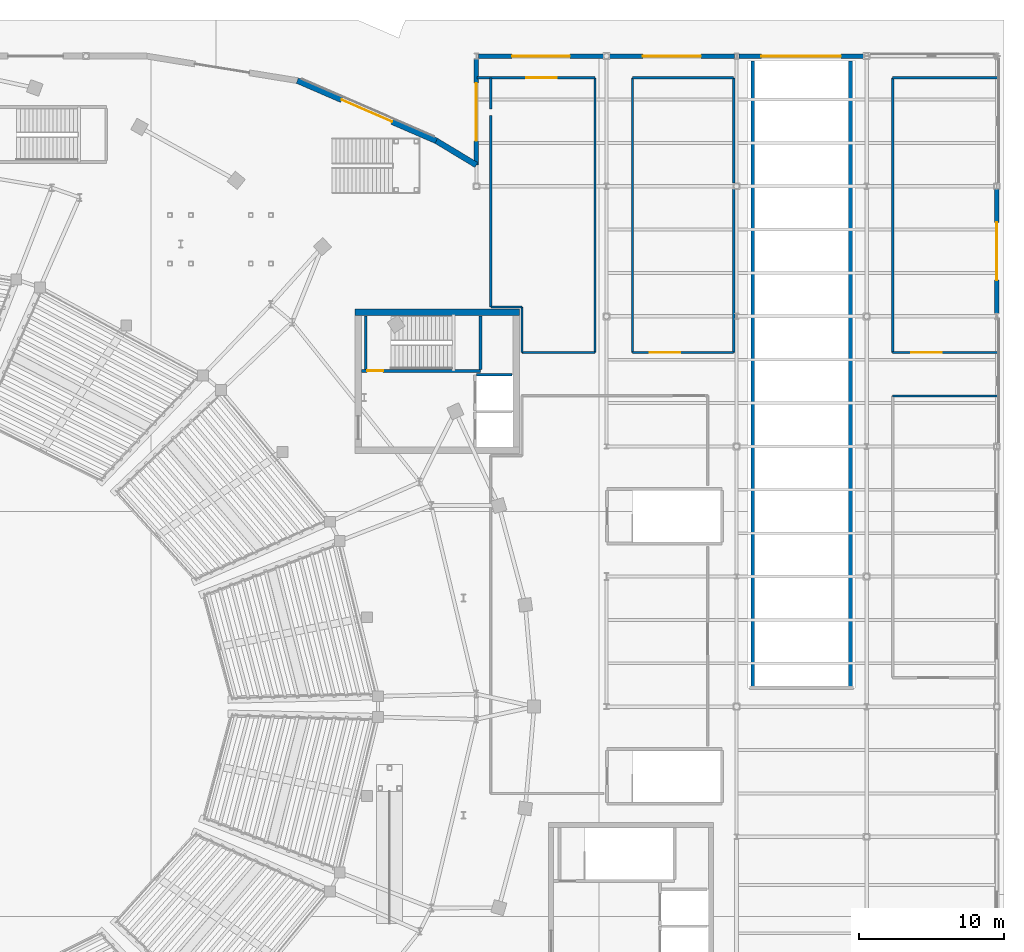
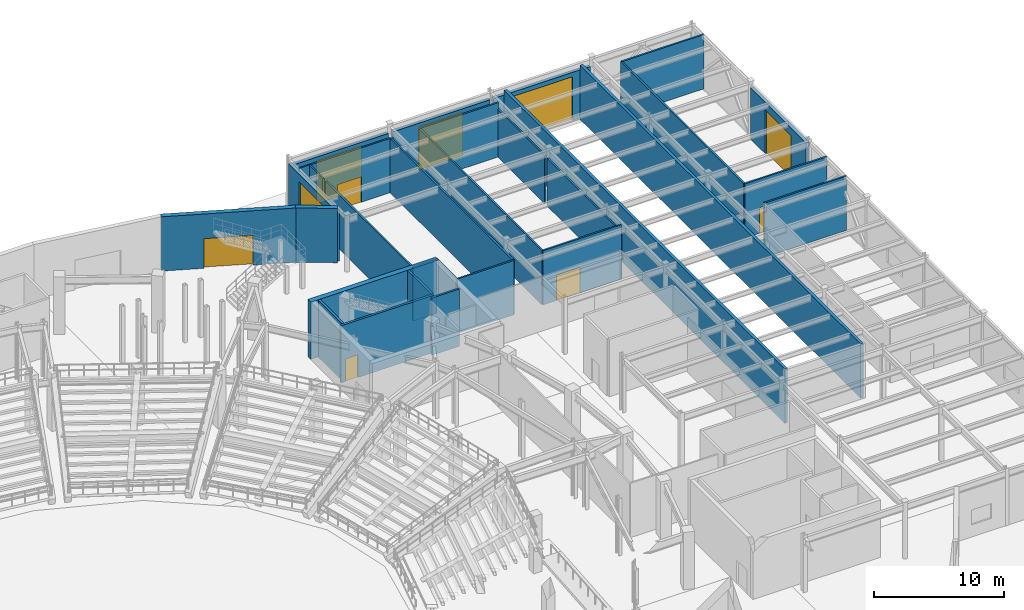
# One storey, part 56 of 79: 30 walls, 10 doors, 10 openings.
"""IFC4 building model written with IfcOpenShell, lengths in metres."""

import ifcopenshell
import ifcopenshell.guid

model = None  # the IFC model being written
_history = None  # IfcOwnerHistory: only IFC2X3 demands one
_inside = {}  # id of a spatial element -> (the spatial element, [elements in it])
_under = {}  # id of a project, library or spatial element -> (it, [spatial elements below it])
_declared = {}  # id of a project -> (the project, [libraries it declares])
_typed = {}  # id of a type object -> (the type object, [elements of that type])
_made_of = {}  # id of a material, layer set ... -> (it, [elements and type objects made of it])


def new_model(schema):
    """Start an empty IFC model of exactly this schema.

    Asked for "IFC4X3", IfcOpenShell would pick the latest addendum, in which some entities
    have other attributes; the version numbers below select the first issue.
    IFC2X3 requires an IfcOwnerHistory on every rooted entity: one is made here for all.
    """
    global model, _history
    if schema == "IFC4X3":
        model = ifcopenshell.file(schema_version=(4, 3, 0, 0))
    else:
        model = ifcopenshell.file(schema=schema)
    _inside.clear()
    _under.clear()
    _declared.clear()
    _typed.clear()
    _made_of.clear()
    _history = None
    if model.schema == "IFC2X3":
        org = make("IfcOrganization", Name="unknown")
        user = make(
            "IfcPersonAndOrganization",
            ThePerson=make("IfcPerson", FamilyName="unknown"),
            TheOrganization=org,
        )
        app = make(
            "IfcApplication",
            ApplicationDeveloper=org,
            Version="unknown",
            ApplicationFullName="unknown",
            ApplicationIdentifier="unknown",
        )
        _history = make(
            "IfcOwnerHistory",
            OwningUser=user,
            OwningApplication=app,
            ChangeAction="ADDED",
            CreationDate=0,
        )
    return model


def make(cls, **values):
    """One entity of the class cls with the attributes given. An attribute that is None is left unset."""
    return model.create_entity(
        cls, **{name: value for name, value in values.items() if value is not None}
    )


def rooted(cls, **values):
    """An entity with a GlobalId (a new one), such as an element, a storey or a relation."""
    return make(cls, GlobalId=ifcopenshell.guid.new(), OwnerHistory=_history, **values)


def si_unit(unit_type, name, prefix=None):
    """IfcSIUnit, for example si_unit("LENGTHUNIT", "METRE", prefix="MILLI")."""
    return make("IfcSIUnit", UnitType=unit_type, Prefix=prefix, Name=name)


def assignment(units):
    """IfcUnitAssignment: the units of a project."""
    return None if units is None else make("IfcUnitAssignment", Units=units)


def point(xyz):
    """IfcCartesianPoint."""
    return None if xyz is None else make("IfcCartesianPoint", Coordinates=xyz)


def direction(xyz):
    """IfcDirection."""
    return None if xyz is None else make("IfcDirection", DirectionRatios=xyz)


def frame(location, z_axis=None, x_axis=None):
    """IfcAxis2Placement3D, a coordinate frame: its origin and axes. An axis left out is left unset."""
    return make(
        "IfcAxis2Placement3D",
        Location=point(location),
        Axis=direction(z_axis),
        RefDirection=direction(x_axis),
    )


def frame_2d(location, x_axis=None):
    """IfcAxis2Placement2D, a coordinate frame in the plane: its origin and x axis."""
    return make(
        "IfcAxis2Placement2D", Location=point(location), RefDirection=direction(x_axis)
    )


def origin():
    """The frame at (0, 0, 0) with its axes left unset."""
    return frame((0.0, 0.0, 0.0))


def place(relative_to, where):
    """IfcLocalPlacement: puts the frame where relative to a parent placement (None: the world)."""
    return make(
        "IfcLocalPlacement", PlacementRelTo=relative_to, RelativePlacement=where
    )


def context(
    kind, dimensions, precision=None, world=None, true_north=None, identifier=None
):
    """IfcGeometricRepresentationContext, for example the 3D "Model" context."""
    return make(
        "IfcGeometricRepresentationContext",
        ContextIdentifier=identifier,
        ContextType=kind,
        CoordinateSpaceDimension=dimensions,
        Precision=precision,
        WorldCoordinateSystem=world,
        TrueNorth=true_north,
    )


def subcontext(parent, identifier, kind, view, scale=None):
    """IfcGeometricRepresentationSubContext, for example "Body" below "Model"."""
    return make(
        "IfcGeometricRepresentationSubContext",
        ContextIdentifier=identifier,
        ContextType=kind,
        ParentContext=parent,
        TargetScale=scale,
        TargetView=view,
    )


def project(units=None, contexts=None):
    """IfcProject with its units and contexts."""
    return rooted(
        "IfcProject",
        Name="project",
        RepresentationContexts=contexts,
        UnitsInContext=assignment(units),
    )


def spatial(cls, under=None, at=None, **own):
    """A site, building, storey or space (cls), placed at a placement, below another one or the project."""
    s = rooted(cls, ObjectPlacement=at, **own)
    if under is not None:
        _under.setdefault(under.id(), (under, []))[1].append(s)
    return s


def profile(cls, at=None, kind="AREA", **sizes):
    """A parametric profile (cls). Its sizes go by their IFC names, for example OverallWidth=200.0."""
    return make(cls, ProfileType=kind, Position=at, **sizes)


def rectangle(**sizes):
    """IfcRectangleProfileDef."""
    return profile("IfcRectangleProfileDef", **sizes)


def extrude(swept, where, along, depth):
    """IfcExtrudedAreaSolid: the profile swept, set in the frame where, extruded along a direction by depth."""
    return make(
        "IfcExtrudedAreaSolid",
        SweptArea=swept,
        Position=where,
        ExtrudedDirection=direction(along),
        Depth=depth,
    )


def shape(context_of_items, identifier, shape_type, items):
    """IfcShapeRepresentation: the items that make up one representation, for example the "Body"."""
    return make(
        "IfcShapeRepresentation",
        ContextOfItems=context_of_items,
        RepresentationIdentifier=identifier,
        RepresentationType=shape_type,
        Items=items,
    )


def material(Name=None, Category=None):
    """IfcMaterial."""
    return make("IfcMaterial", Name=Name, Category=Category)


def layer(
    of_material, thickness, ventilated=None, Name=None, Category=None, Priority=None
):
    """IfcMaterialLayer: one layer of a wall or slab, of a material (None: an air gap)."""
    return make(
        "IfcMaterialLayer",
        Material=of_material,
        LayerThickness=thickness,
        IsVentilated=ventilated,
        Name=Name,
        Category=Category,
        Priority=Priority,
    )


def layer_set(layers, Name=None):
    """IfcMaterialLayerSet."""
    return make("IfcMaterialLayerSet", MaterialLayers=layers, LayerSetName=Name)


def made_of(thing, what):
    """Note that an element or type object is made of a material, layer set ...; save() writes the relation."""
    if what is not None:
        _made_of.setdefault(what.id(), (what, []))[1].append(thing)
    return thing


def type_object(cls, material=None, **own):
    """A type object (cls), such as IfcWallType, which elements share."""
    return made_of(rooted(cls, **own), material)


def element(
    cls,
    number,
    at=None,
    inside=None,
    cuts=None,
    type_object=None,
    material=None,
    context=None,
    identifier="Body",
    shape_type=None,
    held_by="IfcProductDefinitionShape",
    body=None,
    shapes=None,
    **own,
):
    """One element of the class cls, such as IfcWall. Its Tag is "e" and its number.

    at: its placement. inside: the storey or other place that contains it. cuts: it is an
    opening in that element (IfcRelVoidsElement). A single representation is given by context,
    identifier, shape_type and body (its items); several are given by shapes. held_by: the class
    of the entity that holds the representations. save() writes the other relations.
    """
    e = rooted(cls, Tag="e%d" % number, ObjectPlacement=at, **own)
    if body is not None:
        shapes = [shape(context, identifier, shape_type, body)]
    if shapes is not None:
        e.Representation = make(held_by, Representations=shapes)
    if inside is not None:
        _inside.setdefault(inside.id(), (inside, []))[1].append(e)
    if cuts is not None:
        rooted(
            "IfcRelVoidsElement", RelatingBuildingElement=cuts, RelatedOpeningElement=e
        )
    if type_object is not None:
        _typed.setdefault(type_object.id(), (type_object, []))[1].append(e)
    return made_of(e, material)


def fill(opening, filler):
    """IfcRelFillsElement: the door or window that sits in an opening."""
    return rooted(
        "IfcRelFillsElement",
        RelatingOpeningElement=opening,
        RelatedBuildingElement=filler,
    )


def aggregate(whole, parts):
    """IfcRelAggregates: a whole, such as a stair, and the parts it consists of."""
    return rooted("IfcRelAggregates", RelatingObject=whole, RelatedObjects=parts)


def save(model, path):
    """Write the relations noted so far, then the file.

    IfcRelAggregates (storeys below a building ...), IfcRelContainedInSpatialStructure (elements
    in a storey), IfcRelDefinesByType, IfcRelAssociatesMaterial and IfcRelDeclares: one each for
    every whole, place, type object, material and project.
    """
    for whole, parts in _under.values():
        aggregate(whole, parts)
    for where, things in _inside.values():
        rooted(
            "IfcRelContainedInSpatialStructure",
            RelatedElements=things,
            RelatingStructure=where,
        )
    for kind, things in _typed.values():
        rooted("IfcRelDefinesByType", RelatedObjects=things, RelatingType=kind)
    for what, things in _made_of.values():
        rooted("IfcRelAssociatesMaterial", RelatedObjects=things, RelatingMaterial=what)
    for by, libraries in _declared.values():
        rooted("IfcRelDeclares", RelatingContext=by, RelatedDefinitions=libraries)
    model.write(path)


model = new_model("IFC4")

# Units and contexts
model_context = context("Model", 3, precision=1e-05, world=origin(), true_north=direction((0.0, 1.0)))
body_context = subcontext(model_context, "Body", "Model", "MODEL_VIEW")
ifc_project = project(units=[si_unit("LENGTHUNIT", "METRE"), si_unit("AREAUNIT", "SQUARE_METRE"), si_unit("VOLUMEUNIT", "CUBIC_METRE"), si_unit("PLANEANGLEUNIT", "RADIAN"), si_unit("MASSUNIT", "GRAM", prefix="KILO")], contexts=[model_context])

# Site, building, storey
site_placement = place(None, origin())
site = spatial("IfcSite", under=ifc_project, at=site_placement, CompositionType="ELEMENT")
building_placement = place(site_placement, origin())
building = spatial("IfcBuilding", under=site, at=building_placement, Name="Glasvene Arena", CompositionType="ELEMENT")
storey_placement = place(building_placement, origin())
storey = spatial("IfcBuildingStorey", under=building, at=storey_placement, Name="L00", CompositionType="ELEMENT", Elevation=0.0)

# Wall
ifc_material_1 = material(Name="Concrete C40/50", Category="concrete")
ifc_layer_1 = layer(ifc_material_1, 0.449951171875)
ifc_layer_set_1 = layer_set([ifc_layer_1], Name="Concrete C40/50")
wall_type_1 = type_object("IfcWallType", Name="WL-CORE-450", PredefinedType="SHEAR", material=ifc_layer_set_1)
wall_1_placement = place(storey_placement, frame((129.60009765625, 100.27490234375, 0.0), z_axis=(0.0, 0.0, 1.0), x_axis=(1.0, 0.0, 0.0)))
element("IfcWall", 1, at=wall_1_placement, inside=storey, type_object=wall_type_1, Name="Core C2 North-East shear wall N L00", PredefinedType="SHEAR", context=body_context, shape_type="SweptSolid", body=[
    extrude(rectangle(XDim=11.39990234375, YDim=0.449951171875, at=frame_2d((5.699951171875, 0.0))), origin(), (0.0, 0.0, 1.0), 5.39990234375),
])

# Wall, opening, door
ifc_material_2 = material(Name="Coursed pale Irish limestone", Category="masonry")
ifc_layer_2 = layer(ifc_material_2, 0.39990234375)
ifc_layer_set_2 = layer_set([ifc_layer_2], Name="Coursed pale Irish limestone")
wall_type_2 = type_object("IfcWallType", Name="WL-EXT-LIM-400", PredefinedType="STANDARD", material=ifc_layer_set_2)
wall_2_placement = place(storey_placement, frame((125.619140625, 116.3076171875, 0.0), z_axis=(0.0, 0.0, 1.0), x_axis=(0.917436013805, -0.397883350461, 0.0)))
wall_2 = element("IfcWall", 2, at=wall_2_placement, inside=storey, type_object=wall_type_2, Name="External facade wall EW-L00-0023", PredefinedType="STANDARD", context=body_context, shape_type="SweptSolid", body=[
    extrude(rectangle(XDim=10.478515625, YDim=0.39990234375, at=frame_2d((5.2392578125, 0.0))), origin(), (0.0, 0.0, 1.0), 5.1201171875),
])
opening_1_placement = place(wall_2_placement, frame((3.339111328125, 0.0, 0.0)))
opening_1 = element("IfcOpeningElement", 3, at=opening_1_placement, cuts=wall_2, Name="Opening E-MAIN", PredefinedType="OPENING", context=body_context, shape_type="SweptSolid", body=[
    extrude(rectangle(XDim=3.800048828125, YDim=2.800048828125, at=frame_2d((1.89990234375, 1.39990234375))), frame((0.0, 0.2099609375, 0.0), z_axis=(0.0, -1.0, 0.0), x_axis=(1.0, 0.0, 0.0)), (0.0, 0.0, 1.0), 0.419921875),
])
ifc_material_3 = material(Name="Anodised architectural aluminium", Category="aluminium")
door_type_1 = type_object("IfcDoorType", Name="DR-ENT-3800", OperationType="DOUBLE_DOOR_SINGLE_SWING", PredefinedType="DOOR", material=ifc_material_3)
door_1_placement = place(opening_1_placement, origin())
door_1 = element("IfcDoor", 4, at=door_1_placement, inside=storey, type_object=door_type_1, Name="Main entrance E12", OperationType="DOUBLE_DOOR_SINGLE_SWING", OverallHeight=2.800048828125, OverallWidth=3.800048828125, PredefinedType="DOOR", context=body_context, shape_type="SweptSolid", body=[
    extrude(rectangle(XDim=3.800048828125, YDim=2.800048828125, at=frame_2d((1.89990234375, 1.39990234375))), frame((0.0, 0.02490234375, 0.0), z_axis=(0.0, -1.0, 0.0), x_axis=(1.0, 0.0, 0.0)), (0.0, 0.0, 1.0), 0.050048828125),
])
fill(opening_1, door_1)

# Wall
wall_3_placement = place(storey_placement, frame((135.232421875, 112.138427734375, 0.0), z_axis=(0.0, 0.0, 1.0), x_axis=(0.855809711202, -0.517290767569, 0.0)))
element("IfcWall", 5, at=wall_3_placement, inside=storey, type_object=wall_type_2, Name="External facade wall EW-L00-0024", PredefinedType="STANDARD", context=body_context, shape_type="SweptSolid", body=[
    extrude(rectangle(XDim=3.23388671875, YDim=0.39990234375, at=frame_2d((1.616943359375, 0.0))), origin(), (0.0, 0.0, 1.0), 5.1201171875),
])

# Wall, opening, door
ifc_material_4 = material(Name="Precast concrete C50/60", Category="concrete")
ifc_layer_3 = layer(ifc_material_4, 0.320068359375)
ifc_layer_set_3 = layer_set([ifc_layer_3], Name="Precast concrete C50/60")
wall_type_3 = type_object("IfcWallType", Name="WL-EXT-PRC-320", PredefinedType="STANDARD", material=ifc_layer_set_3)
wall_4_placement = place(storey_placement, frame((138.0, 110.465576171875, 0.0), z_axis=(0.0, 0.0, 1.0), x_axis=(0.0, 1.0, 0.0)))
wall_4 = element("IfcWall", 6, at=wall_4_placement, inside=storey, type_object=wall_type_3, Name="External facade wall EW-L00-0025", PredefinedType="STANDARD", context=body_context, shape_type="SweptSolid", body=[
    extrude(rectangle(XDim=7.33251953125, YDim=0.320068359375, at=frame_2d((3.666259765625, 0.0))), origin(), (0.0, 0.0, 1.0), 4.81494140625),
])
opening_2_placement = place(wall_4_placement, frame((1.666015625, 0.0, 0.0)))
opening_2 = element("IfcOpeningElement", 7, at=opening_2_placement, cuts=wall_4, Name="Opening DS-400", PredefinedType="OPENING", context=body_context, shape_type="SweptSolid", body=[
    extrude(rectangle(XDim=4.0, YDim=4.10009765625, at=frame_2d((2.0, 2.050048828125))), frame((0.0, 0.169921875, 0.0), z_axis=(0.0, -1.0, 0.0), x_axis=(1.0, 0.0, 0.0)), (0.0, 0.0, 1.0), 0.340087890625),
])
ifc_material_5 = material(Name="Galvanised acoustic steel shutter", Category="steel")
door_type_2 = type_object("IfcDoorType", Name="DR-DOCK-SHUT-4000", OperationType="ROLLINGUP", PredefinedType="GATE", material=ifc_material_5)
door_2_placement = place(opening_2_placement, origin())
door_2 = element("IfcDoor", 8, at=door_2_placement, inside=storey, type_object=door_type_2, Name="HGV loading bay roller shutter DG-D01", OperationType="ROLLINGUP", OverallHeight=4.10009765625, OverallWidth=4.0, PredefinedType="GATE", context=body_context, shape_type="SweptSolid", body=[
    extrude(rectangle(XDim=4.0, YDim=4.10009765625, at=frame_2d((2.0, 2.050048828125))), frame((0.0, 0.02490234375, 0.0), z_axis=(0.0, -1.0, 0.0), x_axis=(1.0, 0.0, 0.0)), (0.0, 0.0, 1.0), 0.050048828125),
])
fill(opening_2, door_2)

wall_5_placement = place(storey_placement, frame((138.152099609375, 118.0, 0.0), z_axis=(0.0, 0.0, 1.0), x_axis=(1.0, 0.0, 0.0)))
wall_5 = element("IfcWall", 9, at=wall_5_placement, inside=storey, type_object=wall_type_3, Name="External facade wall EW-L00-0026", PredefinedType="STANDARD", context=body_context, shape_type="SweptSolid", body=[
    extrude(rectangle(XDim=8.642822265625, YDim=0.320068359375, at=frame_2d((4.3212890625, 0.0))), origin(), (0.0, 0.0, 1.0), 4.50732421875),
])
opening_3_placement = place(wall_5_placement, frame((2.321044921875, 0.0, 0.0)))
opening_3 = element("IfcOpeningElement", 10, at=opening_3_placement, cuts=wall_5, Name="Opening DS-400", PredefinedType="OPENING", context=body_context, shape_type="SweptSolid", body=[
    extrude(rectangle(XDim=4.0, YDim=4.10009765625, at=frame_2d((2.0, 2.050048828125))), frame((0.0, 0.169921875, 0.0), z_axis=(0.0, -1.0, 0.0), x_axis=(1.0, 0.0, 0.0)), (0.0, 0.0, 1.0), 0.340087890625),
])
door_3_placement = place(opening_3_placement, origin())
door_3 = element("IfcDoor", 11, at=door_3_placement, inside=storey, type_object=door_type_2, Name="HGV loading bay roller shutter DG-D02", OperationType="ROLLINGUP", OverallHeight=4.10009765625, OverallWidth=4.0, PredefinedType="GATE", context=body_context, shape_type="SweptSolid", body=[
    extrude(rectangle(XDim=4.0, YDim=4.10009765625, at=frame_2d((2.0, 2.050048828125))), frame((0.0, 0.02490234375, 0.0), z_axis=(0.0, -1.0, 0.0), x_axis=(1.0, 0.0, 0.0)), (0.0, 0.0, 1.0), 0.050048828125),
])
fill(opening_3, door_3)

wall_6_placement = place(storey_placement, frame((147.205078125, 118.0, 0.0), z_axis=(0.0, 0.0, 1.0), x_axis=(1.0, 0.0, 0.0)))
wall_6 = element("IfcWall", 12, at=wall_6_placement, inside=storey, type_object=wall_type_3, Name="External facade wall EW-L00-0027", PredefinedType="STANDARD", context=body_context, shape_type="SweptSolid", body=[
    extrude(rectangle(XDim=8.642822265625, YDim=0.320068359375, at=frame_2d((4.3212890625, 0.0))), origin(), (0.0, 0.0, 1.0), 4.50732421875),
])
opening_4_placement = place(wall_6_placement, frame((2.321044921875, 0.0, 0.0)))
opening_4 = element("IfcOpeningElement", 13, at=opening_4_placement, cuts=wall_6, Name="Opening DS-400", PredefinedType="OPENING", context=body_context, shape_type="SweptSolid", body=[
    extrude(rectangle(XDim=4.0, YDim=4.10009765625, at=frame_2d((2.0, 2.050048828125))), frame((0.0, 0.169921875, 0.0), z_axis=(0.0, -1.0, 0.0), x_axis=(1.0, 0.0, 0.0)), (0.0, 0.0, 1.0), 0.340087890625),
])
door_4_placement = place(opening_4_placement, origin())
door_4 = element("IfcDoor", 14, at=door_4_placement, inside=storey, type_object=door_type_2, Name="HGV loading bay roller shutter DG-D03", OperationType="ROLLINGUP", OverallHeight=4.10009765625, OverallWidth=4.0, PredefinedType="GATE", context=body_context, shape_type="SweptSolid", body=[
    extrude(rectangle(XDim=4.0, YDim=4.10009765625, at=frame_2d((2.0, 2.050048828125))), frame((0.0, 0.02490234375, 0.0), z_axis=(0.0, -1.0, 0.0), x_axis=(1.0, 0.0, 0.0)), (0.0, 0.0, 1.0), 0.050048828125),
])
fill(opening_4, door_4)

wall_7_placement = place(storey_placement, frame((156.152099609375, 118.0, 0.0), z_axis=(0.0, 0.0, 1.0), x_axis=(1.0, 0.0, 0.0)))
wall_7 = element("IfcWall", 15, at=wall_7_placement, inside=storey, type_object=wall_type_3, Name="External facade wall EW-L00-0028", PredefinedType="STANDARD", context=body_context, shape_type="SweptSolid", body=[
    extrude(rectangle(XDim=8.642822265625, YDim=0.320068359375, at=frame_2d((4.3212890625, 0.0))), origin(), (0.0, 0.0, 1.0), 4.50732421875),
])
opening_5_placement = place(wall_7_placement, frame((1.571044921875, 0.0, 0.0)))
opening_5 = element("IfcOpeningElement", 16, at=opening_5_placement, cuts=wall_7, Name="Opening VS-550", PredefinedType="OPENING", context=body_context, shape_type="SweptSolid", body=[
    extrude(rectangle(XDim=5.5, YDim=4.10009765625, at=frame_2d((2.75, 2.050048828125))), frame((0.0, 0.169921875, 0.0), z_axis=(0.0, -1.0, 0.0), x_axis=(1.0, 0.0, 0.0)), (0.0, 0.0, 1.0), 0.340087890625),
])
door_type_3 = type_object("IfcDoorType", Name="DR-RAMP-SHUT-5500", OperationType="ROLLINGUP", PredefinedType="GATE", material=ifc_material_5)
door_5_placement = place(opening_5_placement, origin())
door_5 = element("IfcDoor", 17, at=door_5_placement, inside=storey, type_object=door_type_3, Name="Vehicle ramp exterior roller shutter gate DG-V01", OperationType="ROLLINGUP", OverallHeight=4.10009765625, OverallWidth=5.5, PredefinedType="GATE", context=body_context, shape_type="SweptSolid", body=[
    extrude(rectangle(XDim=5.5, YDim=4.10009765625, at=frame_2d((2.75, 2.050048828125))), frame((0.0, 0.02490234375, 0.0), z_axis=(0.0, -1.0, 0.0), x_axis=(1.0, 0.0, 0.0)), (0.0, 0.0, 1.0), 0.050048828125),
])
fill(opening_5, door_5)

wall_8_placement = place(storey_placement, frame((174.0, 108.794921875, 0.0), z_axis=(0.0, 0.0, 1.0), x_axis=(0.0, -1.0, 0.0)))
wall_8 = element("IfcWall", 18, at=wall_8_placement, inside=storey, type_object=wall_type_3, Name="External facade wall EW-L00-0029", PredefinedType="STANDARD", context=body_context, shape_type="SweptSolid", body=[
    extrude(rectangle(XDim=8.593017578125, YDim=0.320068359375, at=frame_2d((4.29638671875, 0.0))), origin(), (0.0, 0.0, 1.0), 4.81494140625),
])
opening_6_placement = place(wall_8_placement, frame((2.2958984375, 0.0, 0.0)))
opening_6 = element("IfcOpeningElement", 19, at=opening_6_placement, cuts=wall_8, Name="Opening DS-400", PredefinedType="OPENING", context=body_context, shape_type="SweptSolid", body=[
    extrude(rectangle(XDim=4.0, YDim=4.10009765625, at=frame_2d((2.0, 2.050048828125))), frame((0.0, 0.169921875, 0.0), z_axis=(0.0, -1.0, 0.0), x_axis=(1.0, 0.0, 0.0)), (0.0, 0.0, 1.0), 0.340087890625),
])
door_6_placement = place(opening_6_placement, origin())
door_6 = element("IfcDoor", 20, at=door_6_placement, inside=storey, type_object=door_type_2, Name="HGV loading bay roller shutter DG-D04", OperationType="ROLLINGUP", OverallHeight=4.10009765625, OverallWidth=4.0, PredefinedType="GATE", context=body_context, shape_type="SweptSolid", body=[
    extrude(rectangle(XDim=4.0, YDim=4.10009765625, at=frame_2d((2.0, 2.050048828125))), frame((0.0, 0.02490234375, 0.0), z_axis=(0.0, -1.0, 0.0), x_axis=(1.0, 0.0, 0.0)), (0.0, 0.0, 1.0), 0.050048828125),
])
fill(opening_6, door_6)

# Walls
ifc_layer_4 = layer(ifc_material_1, 0.25)
ifc_layer_set_4 = layer_set([ifc_layer_4], Name="Concrete C40/50")
wall_type_4 = type_object("IfcWallType", Name="WL-FIRE-250", PredefinedType="STANDARD", material=ifc_layer_set_4)
for number, where, z_axis, x_axis, name in (
    (21, (157.1201171875, 74.300048828125, 0.0), (0.0, 0.0, 1.0), (0.0, 1.0, 0.0), "Vehicle ramp fire enclosure wall L00-W"),
    (22, (163.8798828125, 74.300048828125, 0.0), (0.0, 0.0, 1.0), (0.0, 1.0, 0.0), "Vehicle ramp fire enclosure wall L00-E"),
):
    element("IfcWall", number, at=place(storey_placement, frame(where, z_axis=z_axis, x_axis=x_axis)), inside=storey, type_object=wall_type_4, Name=name, PredefinedType="STANDARD", context=body_context, shape_type="SweptSolid", body=[
        extrude(rectangle(XDim=43.349853515625, YDim=0.25, at=frame_2d((21.6748046875, 0.0))), origin(), (0.0, 0.0, 1.0), 5.1201171875),
    ])
ifc_material_6 = material(Name="Insulated acoustic metal-stud partition")
ifc_layer_5 = layer(ifc_material_6, 0.14990234375)
ifc_layer_set_5 = layer_set([ifc_layer_5], Name="Insulated acoustic metal-stud partition")
wall_type_5 = type_object("IfcWallType", Name="WL-PART-150", PredefinedType="PARTITIONING", material=ifc_layer_set_5)
wall_9_placement = place(storey_placement, frame((139.0, 100.64990234375, 0.0), z_axis=(0.0, 0.0, 1.0), x_axis=(0.0, 1.0, 0.0)))
element("IfcWall", 23, at=wall_9_placement, inside=storey, type_object=wall_type_5, Name="Interior partition wall IW-L00-0118 (Event HGV Loading Bay 1)", PredefinedType="PARTITIONING", context=body_context, shape_type="SweptSolid", body=[
    extrude(rectangle(XDim=13.25390625, YDim=0.14990234375, at=frame_2d((6.626953125, 0.0))), origin(), (0.0, 0.0, 1.0), 5.1201171875),
])
wall_10_placement = place(storey_placement, frame((139.0, 114.359375, 0.0), z_axis=(0.0, 0.0, 1.0), x_axis=(0.0, 1.0, 0.0)))
element("IfcWall", 24, at=wall_10_placement, inside=storey, type_object=wall_type_5, Name="Interior partition wall IW-L00-0119 (Event HGV Loading Bay 1)", PredefinedType="PARTITIONING", context=body_context, shape_type="SweptSolid", body=[
    extrude(rectangle(XDim=2.140625, YDim=0.14990234375, at=frame_2d((1.0703125, 0.0))), origin(), (0.0, 0.0, 1.0), 5.1201171875),
])

# Wall, opening, door
wall_11_placement = place(storey_placement, frame((138.0400390625, 116.5, 0.0), z_axis=(0.0, 0.0, 1.0), x_axis=(1.0, 0.0, 0.0)))
wall_11 = element("IfcWall", 25, at=wall_11_placement, inside=storey, type_object=wall_type_5, Name="Interior partition wall IW-L00-0120 (Event HGV Loading Bay 1)", PredefinedType="PARTITIONING", context=body_context, shape_type="SweptSolid", body=[
    extrude(rectangle(XDim=8.159912109375, YDim=0.14990234375, at=frame_2d((4.080078125, 0.0))), origin(), (0.0, 0.0, 1.0), 5.1201171875),
])
opening_7_placement = place(wall_11_placement, frame((3.4169921875, 0.0, 0.0)))
opening_7 = element("IfcOpeningElement", 26, at=opening_7_placement, cuts=wall_11, Name="Opening D-10", PredefinedType="OPENING", context=body_context, shape_type="SweptSolid", body=[
    extrude(rectangle(XDim=2.10009765625, YDim=2.39990234375, at=frame_2d((1.050048828125, 1.199951171875))), frame((0.0, 0.0849609375, 0.0), z_axis=(0.0, -1.0, 0.0), x_axis=(1.0, 0.0, 0.0)), (0.0, 0.0, 1.0), 0.169921875),
])
ifc_material_7 = material(Name="Galvanised acoustic steel", Category="steel")
door_type_4 = type_object("IfcDoorType", Name="DR-PLANT-2100", OperationType="DOUBLE_DOOR_SINGLE_SWING", PredefinedType="DOOR", material=ifc_material_7)
door_7_placement = place(opening_7_placement, origin())
door_7 = element("IfcDoor", 27, at=door_7_placement, inside=storey, type_object=door_type_4, Name="Interior door DR-PLANT-2100 (Event HGV Loading Bay 1)", OperationType="DOUBLE_DOOR_SINGLE_SWING", OverallHeight=2.39990234375, OverallWidth=2.10009765625, PredefinedType="DOOR", context=body_context, shape_type="SweptSolid", body=[
    extrude(rectangle(XDim=2.10009765625, YDim=2.39990234375, at=frame_2d((1.050048828125, 1.199951171875))), frame((0.0, 0.02490234375, 0.0), z_axis=(0.0, -1.0, 0.0), x_axis=(1.0, 0.0, 0.0)), (0.0, 0.0, 1.0), 0.050048828125),
])
fill(opening_7, door_7)

# Walls
wall_12_placement = place(storey_placement, frame((146.199951171875, 116.5, 0.0), z_axis=(0.0, 0.0, 1.0), x_axis=(0.0, -1.0, 0.0)))
element("IfcWall", 28, at=wall_12_placement, inside=storey, type_object=wall_type_5, Name="Interior partition wall IW-L00-0121 (Event HGV Loading Bay 1)", PredefinedType="PARTITIONING", context=body_context, shape_type="SweptSolid", body=[
    extrude(rectangle(XDim=19.0, YDim=0.14990234375, at=frame_2d((9.5, 0.0))), origin(), (0.0, 0.0, 1.0), 5.1201171875),
])
wall_13_placement = place(storey_placement, frame((146.199951171875, 97.5, 0.0), z_axis=(0.0, 0.0, 1.0), x_axis=(-1.0, 0.0, 0.0)))
element("IfcWall", 29, at=wall_13_placement, inside=storey, type_object=wall_type_5, Name="Interior partition wall IW-L00-0122 (Event HGV Loading Bay 1)", PredefinedType="PARTITIONING", context=body_context, shape_type="SweptSolid", body=[
    extrude(rectangle(XDim=5.050048828125, YDim=0.14990234375, at=frame_2d((2.52490234375, 0.0))), origin(), (0.0, 0.0, 1.0), 5.1201171875),
])
wall_14_placement = place(storey_placement, frame((141.14990234375, 97.5, 0.0), z_axis=(0.0, 0.0, 1.0), x_axis=(0.0, 1.0, 0.0)))
element("IfcWall", 30, at=wall_14_placement, inside=storey, type_object=wall_type_5, Name="Interior partition wall IW-L00-0123 (Event HGV Loading Bay 1)", PredefinedType="PARTITIONING", context=body_context, shape_type="SweptSolid", body=[
    extrude(rectangle(XDim=3.14990234375, YDim=0.14990234375, at=frame_2d((1.574951171875, 0.0))), origin(), (0.0, 0.0, 1.0), 5.1201171875),
])
wall_15_placement = place(storey_placement, frame((141.14990234375, 100.64990234375, 0.0), z_axis=(0.0, 0.0, 1.0), x_axis=(-1.0, 0.0, 0.0)))
element("IfcWall", 31, at=wall_15_placement, inside=storey, type_object=wall_type_5, Name="Interior partition wall IW-L00-0124 (Event HGV Loading Bay 1)", PredefinedType="PARTITIONING", context=body_context, shape_type="SweptSolid", body=[
    extrude(rectangle(XDim=2.14990234375, YDim=0.14990234375, at=frame_2d((1.074951171875, 0.0))), origin(), (0.0, 0.0, 1.0), 5.1201171875),
])
wall_16_placement = place(storey_placement, frame((148.800048828125, 116.5, 0.0), z_axis=(0.0, 0.0, 1.0), x_axis=(1.0, 0.0, 0.0)))
element("IfcWall", 32, at=wall_16_placement, inside=storey, type_object=wall_type_5, Name="Interior partition wall IW-L00-0125 (Event HGV Loading Bay 2)", PredefinedType="PARTITIONING", context=body_context, shape_type="SweptSolid", body=[
    extrude(rectangle(XDim=7.0, YDim=0.14990234375, at=frame_2d((3.5, 0.0))), origin(), (0.0, 0.0, 1.0), 5.1201171875),
])
wall_17_placement = place(storey_placement, frame((155.800048828125, 116.5, 0.0), z_axis=(0.0, 0.0, 1.0), x_axis=(0.0, -1.0, 0.0)))
element("IfcWall", 33, at=wall_17_placement, inside=storey, type_object=wall_type_5, Name="Interior partition wall IW-L00-0126 (Event HGV Loading Bay 2)", PredefinedType="PARTITIONING", context=body_context, shape_type="SweptSolid", body=[
    extrude(rectangle(XDim=7.292724609375, YDim=0.14990234375, at=frame_2d((3.646484375, 0.0))), origin(), (0.0, 0.0, 1.0), 4.50732421875),
])
wall_18_placement = place(storey_placement, frame((155.800048828125, 108.792724609375, 0.0), z_axis=(0.0, 0.0, 1.0), x_axis=(0.0, -1.0, 0.0)))
element("IfcWall", 34, at=wall_18_placement, inside=storey, type_object=wall_type_5, Name="Interior partition wall IW-L00-0127 (Event HGV Loading Bay 2)", PredefinedType="PARTITIONING", context=body_context, shape_type="SweptSolid", body=[
    extrude(rectangle(XDim=11.292724609375, YDim=0.14990234375, at=frame_2d((5.646484375, 0.0))), origin(), (0.0, 0.0, 1.0), 4.50732421875),
])

# Wall, opening, door
wall_19_placement = place(storey_placement, frame((155.800048828125, 97.5, 0.0), z_axis=(0.0, 0.0, 1.0), x_axis=(-1.0, 0.0, 0.0)))
wall_19 = element("IfcWall", 35, at=wall_19_placement, inside=storey, type_object=wall_type_5, Name="Interior partition wall IW-L00-0128 (Event HGV Loading Bay 2)", PredefinedType="PARTITIONING", context=body_context, shape_type="SweptSolid", body=[
    extrude(rectangle(XDim=7.0, YDim=0.14990234375, at=frame_2d((3.5, 0.0))), origin(), (0.0, 0.0, 1.0), 5.1201171875),
])
opening_8_placement = place(wall_19_placement, frame((3.699951171875, 0.0, 0.0)))
opening_8 = element("IfcOpeningElement", 36, at=opening_8_placement, cuts=wall_19, Name="Opening D-10", PredefinedType="OPENING", context=body_context, shape_type="SweptSolid", body=[
    extrude(rectangle(XDim=2.10009765625, YDim=2.39990234375, at=frame_2d((1.050048828125, 1.199951171875))), frame((0.0, 0.0849609375, 0.0), z_axis=(0.0, -1.0, 0.0), x_axis=(1.0, 0.0, 0.0)), (0.0, 0.0, 1.0), 0.169921875),
])
door_8_placement = place(opening_8_placement, origin())
door_8 = element("IfcDoor", 37, at=door_8_placement, inside=storey, type_object=door_type_4, Name="Interior door DR-PLANT-2100 (Event HGV Loading Bay 2)", OperationType="DOUBLE_DOOR_SINGLE_SWING", OverallHeight=2.39990234375, OverallWidth=2.10009765625, PredefinedType="DOOR", context=body_context, shape_type="SweptSolid", body=[
    extrude(rectangle(XDim=2.10009765625, YDim=2.39990234375, at=frame_2d((1.050048828125, 1.199951171875))), frame((0.0, 0.02490234375, 0.0), z_axis=(0.0, -1.0, 0.0), x_axis=(1.0, 0.0, 0.0)), (0.0, 0.0, 1.0), 0.050048828125),
])
fill(opening_8, door_8)

# Walls
wall_20_placement = place(storey_placement, frame((148.800048828125, 97.5, 0.0), z_axis=(0.0, 0.0, 1.0), x_axis=(0.0, 1.0, 0.0)))
element("IfcWall", 38, at=wall_20_placement, inside=storey, type_object=wall_type_5, Name="Interior partition wall IW-L00-0129 (Event HGV Loading Bay 2)", PredefinedType="PARTITIONING", context=body_context, shape_type="SweptSolid", body=[
    extrude(rectangle(XDim=19.0, YDim=0.14990234375, at=frame_2d((9.5, 0.0))), origin(), (0.0, 0.0, 1.0), 5.1201171875),
])
wall_21_placement = place(storey_placement, frame((166.800048828125, 116.5, 0.0), z_axis=(0.0, 0.0, 1.0), x_axis=(1.0, 0.0, 0.0)))
element("IfcWall", 39, at=wall_21_placement, inside=storey, type_object=wall_type_5, Name="Interior partition wall IW-L00-0130 (Event HGV Loading Bay 3)", PredefinedType="PARTITIONING", context=body_context, shape_type="SweptSolid", body=[
    extrude(rectangle(XDim=7.324951171875, YDim=0.14990234375, at=frame_2d((3.66259765625, 0.0))), origin(), (0.0, 0.0, 1.0), 5.1201171875),
])

# Wall, opening, door
wall_22_placement = place(storey_placement, frame((174.125, 97.5, 0.0), z_axis=(0.0, 0.0, 1.0), x_axis=(-1.0, 0.0, 0.0)))
wall_22 = element("IfcWall", 40, at=wall_22_placement, inside=storey, type_object=wall_type_5, Name="Interior partition wall IW-L00-0131 (Event HGV Loading Bay 3)", PredefinedType="PARTITIONING", context=body_context, shape_type="SweptSolid", body=[
    extrude(rectangle(XDim=7.324951171875, YDim=0.14990234375, at=frame_2d((3.66259765625, 0.0))), origin(), (0.0, 0.0, 1.0), 5.1201171875),
])
opening_9_placement = place(wall_22_placement, frame((3.93603515625, 0.0, 0.0)))
opening_9 = element("IfcOpeningElement", 41, at=opening_9_placement, cuts=wall_22, Name="Opening D-10", PredefinedType="OPENING", context=body_context, shape_type="SweptSolid", body=[
    extrude(rectangle(XDim=2.10009765625, YDim=2.39990234375, at=frame_2d((1.050048828125, 1.199951171875))), frame((0.0, 0.0849609375, 0.0), z_axis=(0.0, -1.0, 0.0), x_axis=(1.0, 0.0, 0.0)), (0.0, 0.0, 1.0), 0.169921875),
])
door_9_placement = place(opening_9_placement, origin())
door_9 = element("IfcDoor", 42, at=door_9_placement, inside=storey, type_object=door_type_4, Name="Interior door DR-PLANT-2100 (Event HGV Loading Bay 3)", OperationType="DOUBLE_DOOR_SINGLE_SWING", OverallHeight=2.39990234375, OverallWidth=2.10009765625, PredefinedType="DOOR", context=body_context, shape_type="SweptSolid", body=[
    extrude(rectangle(XDim=2.10009765625, YDim=2.39990234375, at=frame_2d((1.050048828125, 1.199951171875))), frame((0.0, 0.02490234375, 0.0), z_axis=(0.0, -1.0, 0.0), x_axis=(1.0, 0.0, 0.0)), (0.0, 0.0, 1.0), 0.050048828125),
])
fill(opening_9, door_9)

# Walls
wall_23_placement = place(storey_placement, frame((166.800048828125, 97.5, 0.0), z_axis=(0.0, 0.0, 1.0), x_axis=(0.0, 1.0, 0.0)))
element("IfcWall", 43, at=wall_23_placement, inside=storey, type_object=wall_type_5, Name="Interior partition wall IW-L00-0132 (Event HGV Loading Bay 3)", PredefinedType="PARTITIONING", context=body_context, shape_type="SweptSolid", body=[
    extrude(rectangle(XDim=19.0, YDim=0.14990234375, at=frame_2d((9.5, 0.0))), origin(), (0.0, 0.0, 1.0), 5.1201171875),
])
wall_24_placement = place(storey_placement, frame((166.800048828125, 94.5, 0.0), z_axis=(0.0, 0.0, 1.0), x_axis=(1.0, 0.0, 0.0)))
element("IfcWall", 44, at=wall_24_placement, inside=storey, type_object=wall_type_5, Name="Interior partition wall IW-L00-0133 (Event HGV Loading Bay 4)", PredefinedType="PARTITIONING", context=body_context, shape_type="SweptSolid", body=[
    extrude(rectangle(XDim=7.324951171875, YDim=0.14990234375, at=frame_2d((3.66259765625, 0.0))), origin(), (0.0, 0.0, 1.0), 5.1201171875),
])

# Wall, opening, door
ifc_layer_6 = layer(ifc_material_1, 0.199951171875)
ifc_layer_set_6 = layer_set([ifc_layer_6], Name="Concrete C40/50")
wall_type_6 = type_object("IfcWallType", Name="WL-SHAFT-200", PredefinedType="SHEAR", material=ifc_layer_set_6)
wall_25_placement = place(storey_placement, frame((130.052001953125, 96.22998046875, 0.0), z_axis=(0.0, 0.0, 1.0), x_axis=(1.0, 0.0, 0.0)))
wall_25 = element("IfcWall", 45, at=wall_25_placement, inside=storey, type_object=wall_type_6, Name="Escape stair shaft wall ST-02 L00 S", PredefinedType="SHEAR", context=body_context, shape_type="SweptSolid", body=[
    extrude(rectangle(XDim=8.248046875, YDim=0.199951171875, at=frame_2d((4.1240234375, 0.0))), origin(), (0.0, 0.0, 1.0), 5.39990234375),
])
opening_10_placement = place(wall_25_placement, frame((0.39990234375, 0.0, 0.0)))
opening_10 = element("IfcOpeningElement", 46, at=opening_10_placement, cuts=wall_25, Name="Opening D-04", PredefinedType="OPENING", context=body_context, shape_type="SweptSolid", body=[
    extrude(rectangle(XDim=1.10009765625, YDim=2.14990234375, at=frame_2d((0.550048828125, 1.074951171875))), frame((0.0, 0.10986328125, 0.0), z_axis=(0.0, -1.0, 0.0), x_axis=(1.0, 0.0, 0.0)), (0.0, 0.0, 1.0), 0.219970703125),
])
ifc_material_8 = material(Name="Painted fire-resisting steel", Category="steel")
door_type_5 = type_object("IfcDoorType", Name="DR-FD60-1100", OperationType="NOTDEFINED", PredefinedType="DOOR", material=ifc_material_8)
door_10_placement = place(opening_10_placement, frame((1.10009765625, 0.0, 0.0), z_axis=(0.0, 0.0, 1.0), x_axis=(-1.0, 0.0, 0.0)))
door_10 = element("IfcDoor", 47, at=door_10_placement, inside=storey, type_object=door_type_5, Name="Protected escape stair door ST-02 L00", OperationType="SINGLE_SWING_RIGHT", OverallHeight=2.14990234375, OverallWidth=1.10009765625, PredefinedType="DOOR", context=body_context, shape_type="SweptSolid", body=[
    extrude(rectangle(XDim=1.10009765625, YDim=2.14990234375, at=frame_2d((0.550048828125, 1.074951171875))), frame((0.0, 0.02490234375, 0.0), z_axis=(0.0, -1.0, 0.0), x_axis=(1.0, 0.0, 0.0)), (0.0, 0.0, 1.0), 0.050048828125),
])
fill(opening_10, door_10)

# Walls
for number, where, z_axis, x_axis, name in (
    (48, (130.35009765625, 96.33203125, 0.0), (0.0, 0.0, 1.0), (0.0, 1.0, 0.0), "Escape stair shaft wall ST-02 L00 W"),
    (49, (138.300048828125, 96.33203125, 0.0), (0.0, 0.0, 1.0), (0.0, 1.0, 0.0), "Escape stair shaft wall ST-02 L00 E"),
):
    element("IfcWall", number, at=place(storey_placement, frame(where, z_axis=z_axis, x_axis=x_axis)), inside=storey, type_object=wall_type_6, Name=name, PredefinedType="SHEAR", context=body_context, shape_type="SweptSolid", body=[
        extrude(rectangle(XDim=3.68603515625, YDim=0.199951171875, at=frame_2d((1.843017578125, 0.0))), origin(), (0.0, 0.0, 1.0), 5.39990234375),
    ])
ifc_material_9 = material(Name="Moisture-resistant masonry blockwork", Category="masonry")
ifc_layer_7 = layer(ifc_material_9, 0.179931640625)
ifc_layer_set_7 = layer_set([ifc_layer_7], Name="Moisture-resistant masonry blockwork")
wall_type_7 = type_object("IfcWallType", Name="WL-WET-180", PredefinedType="PARTITIONING", material=ifc_layer_set_7)
wall_26_placement = place(storey_placement, frame((138.0, 95.949951171875, 0.0), z_axis=(0.0, 0.0, 1.0), x_axis=(1.0, 0.0, 0.0)))
element("IfcWall", 50, at=wall_26_placement, inside=storey, type_object=wall_type_7, Name="Lift shaft north enclosure wall C2 L00", PredefinedType="PARTITIONING", context=body_context, shape_type="SweptSolid", body=[
    extrude(rectangle(XDim=2.449951171875, YDim=0.179931640625, at=frame_2d((1.22509765625, 0.0))), origin(), (0.0, 0.0, 1.0), 5.39990234375),
])

save(model, "model.ifc")
